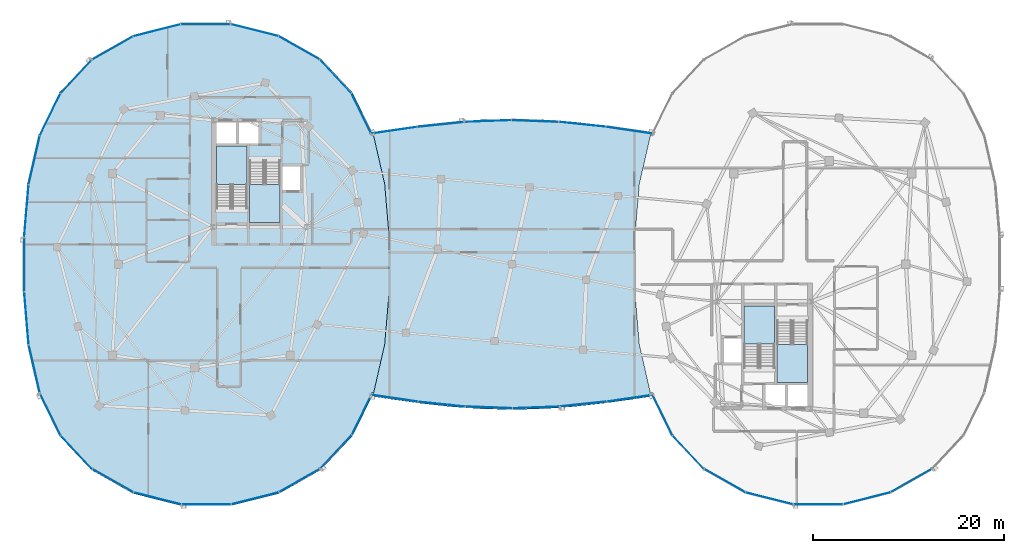
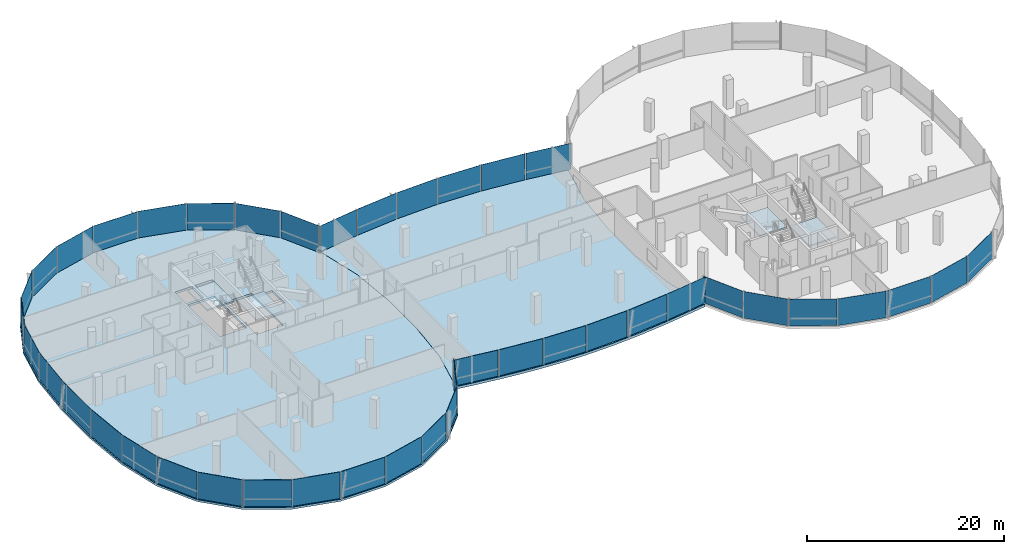
# One storey, part 12 of 25: 42 plates, 6 slabs, 11 elements without a shape of their own.
"""IFC4 building model written with IfcOpenShell, lengths in metres."""

from ifc_helpers import new_model, si_unit, direction, frame, origin, origin_2d, place, context, subcontext, project, spatial, polyline, rectangle, outline, extrude, material, layer, layer_set, type_object, element, aggregate, save


model = new_model("IFC4")

# Units and contexts
model_context = context("Model", 3, precision=1e-05, world=origin(), true_north=direction((0.0, 1.0)))
body_context = subcontext(model_context, "Body", "Model", "MODEL_VIEW")
ifc_project = project(units=[si_unit("LENGTHUNIT", "METRE"), si_unit("AREAUNIT", "SQUARE_METRE"), si_unit("VOLUMEUNIT", "CUBIC_METRE"), si_unit("PLANEANGLEUNIT", "RADIAN"), si_unit("MASSUNIT", "GRAM", prefix="KILO"), si_unit("THERMODYNAMICTEMPERATUREUNIT", "KELVIN"), si_unit("POWERUNIT", "WATT")], contexts=[model_context])

# Site, building, storey
site_placement = place(None, origin())
site = spatial("IfcSite", under=ifc_project, at=site_placement, CompositionType="ELEMENT")
building_placement = place(site_placement, origin())
building = spatial("IfcBuilding", under=site, at=building_placement, Name="Cundina Bronze Exchange", CompositionType="ELEMENT")
storey_placement = place(building_placement, frame((0.0, 0.0, 257.60009765625)))
storey = spatial("IfcBuildingStorey", under=building, at=storey_placement, Name="L68", CompositionType="ELEMENT", Elevation=257.60009765625)

# Curtain wall, plates
ifc_material_1 = material(Name="Anodised Bronze Aluminium 6063-T6", Category="aluminium")
curtain_wall_type = type_object("IfcCurtainWallType", Name="CWS-SKG-BRG", PredefinedType="NOTDEFINED", material=ifc_material_1)
curtain_wall_1_placement = place(storey_placement, origin())
curtain_wall_1 = element("IfcCurtainWall", 1, at=curtain_wall_1_placement, inside=storey, type_object=curtain_wall_type, Name="L68 CW-06 Curtain Wall Run CWR-L68-W1", PredefinedType="NOTDEFINED")
ifc_material_2 = material(Name="Heat-Strengthened Solar-Control Bronze Safety Glass 28mm", Category="glass")
ifc_layer_1 = layer(ifc_material_2, 0.028076171875, Name="Heat-Strengthened Solar-Control Bronze Safety Glass 28mm", Category="glass")
ifc_layer_set_1 = layer_set([ifc_layer_1], Name="Heat-Strengthened Solar-Control Bronze Safety Glass 28mm")
plate_type_1 = type_object("IfcPlateType", Name="PLT-GLZ-VIS28", PredefinedType="CURTAIN_PANEL", material=ifc_layer_set_1)
plate_1_placement = place(storey_placement, frame((-15.69873046875, 15.68017578125, 0.02001953125), z_axis=(0.0, 0.0, 1.0), x_axis=(-0.440503330345, 0.897750976582, 0.0)))
plate_1 = element("IfcPlate", 2, at=plate_1_placement, type_object=plate_type_1, Name="CW-06 Glazed Panel 1", PredefinedType="CURTAIN_PANEL", context=body_context, shape_type="SweptSolid", body=[
    extrude(rectangle(XDim=4.863525390625, YDim=0.028076171875, at=origin_2d()), origin(), (0.0, 0.0, 1.0), 3.300048828125),
])
plate_2_placement = place(storey_placement, frame((-22.23828125, 22.6279296875, 0.02001953125), z_axis=(0.0, 0.0, 1.0), x_axis=(-0.869572506985, 0.493805280547, 0.0)))
plate_2 = element("IfcPlate", 3, at=plate_2_placement, type_object=plate_type_1, Name="CW-06 Glazed Panel 3", PredefinedType="CURTAIN_PANEL", context=body_context, shape_type="SweptSolid", body=[
    extrude(rectangle(XDim=4.907958984375, YDim=0.028076171875, at=origin_2d()), origin(), (0.0, 0.0, 1.0), 3.300048828125),
])
plate_3_placement = place(storey_placement, frame((-26.890625, 24.4814453125, 0.02001953125), z_axis=(0.0, 0.0, 1.0), x_axis=(-0.969731542251, 0.244173577528, 0.0)))
plate_3 = element("IfcPlate", 4, at=plate_3_placement, type_object=plate_type_1, Name="CW-06 Glazed Panel 4", PredefinedType="CURTAIN_PANEL", context=body_context, shape_type="SweptSolid", body=[
    extrude(rectangle(XDim=5.0908203125, YDim=0.028076171875, at=origin_2d()), origin(), (0.0, 0.0, 1.0), 3.300048828125),
])
plate_4_placement = place(storey_placement, frame((-32.0, 25.110107421875, 0.02001953125), z_axis=(0.0, 0.0, 1.0), x_axis=(-1.0, 0.0, 0.0)))
plate_4 = element("IfcPlate", 5, at=plate_4_placement, type_object=plate_type_1, Name="CW-06 Glazed Panel 5", PredefinedType="CURTAIN_PANEL", context=body_context, shape_type="SweptSolid", body=[
    extrude(rectangle(XDim=5.16796875, YDim=0.028076171875, at=origin_2d()), origin(), (0.0, 0.0, 1.0), 3.300048828125),
])
plate_5_placement = place(storey_placement, frame((-37.109375, 24.4814453125, 0.02001953125), z_axis=(0.0, 0.0, 1.0), x_axis=(-0.969731542251, -0.244173577528, 0.0)))
plate_5 = element("IfcPlate", 6, at=plate_5_placement, type_object=plate_type_1, Name="CW-06 Glazed Panel 6", PredefinedType="CURTAIN_PANEL", context=body_context, shape_type="SweptSolid", body=[
    extrude(rectangle(XDim=5.0908203125, YDim=0.028076171875, at=origin_2d()), origin(), (0.0, 0.0, 1.0), 3.300048828125),
])

curtain_wall_2_placement = place(storey_placement, origin())
curtain_wall_2 = element("IfcCurtainWall", 7, at=curtain_wall_2_placement, inside=storey, type_object=curtain_wall_type, Name="L68 CW-06 Curtain Wall Run CWR-L68-W2", PredefinedType="NOTDEFINED")
plate_6_placement = place(storey_placement, frame((-48.30126953125, 15.68017578125, 0.02001953125), z_axis=(0.0, 0.0, 1.0), x_axis=(-0.440503330345, -0.897750976582, 0.0)))
plate_6 = element("IfcPlate", 8, at=plate_6_placement, type_object=plate_type_1, Name="CW-06 Glazed Panel 2", PredefinedType="CURTAIN_PANEL", context=body_context, shape_type="SweptSolid", body=[
    extrude(rectangle(XDim=4.863525390625, YDim=0.028076171875, at=origin_2d()), origin(), (0.0, 0.0, 1.0), 3.300048828125),
])
plate_7_placement = place(storey_placement, frame((-49.96923828125, 10.922607421875, 0.02001953125), z_axis=(0.0, 0.0, 1.0), x_axis=(-0.223284141459, -0.974753400698, 0.0)))
plate_7 = element("IfcPlate", 9, at=plate_7_placement, type_object=plate_type_1, Name="CW-06 Glazed Panel 3", PredefinedType="CURTAIN_PANEL", context=body_context, shape_type="SweptSolid", body=[
    extrude(rectangle(XDim=5.167724609375, YDim=0.028076171875, at=origin_2d()), origin(), (0.0, 0.0, 1.0), 3.300048828125),
])
plate_8_placement = place(storey_placement, frame((-50.78662109375, 5.605712890625, 0.02001953125), z_axis=(0.0, 0.0, 1.0), x_axis=(-0.083747411454, -0.996487015006, 0.0)))
plate_8 = element("IfcPlate", 10, at=plate_8_placement, type_object=plate_type_1, Name="CW-06 Glazed Panel 4", PredefinedType="CURTAIN_PANEL", context=body_context, shape_type="SweptSolid", body=[
    extrude(rectangle(XDim=5.474609375, YDim=0.028076171875, at=origin_2d()), origin(), (0.0, 0.0, 1.0), 3.300048828125),
])
plate_9_placement = place(storey_placement, frame((-51.01904296875, 0.0, 0.02001953125), z_axis=(0.0, 0.0, 1.0), x_axis=(0.0, -1.0, 0.0)))
plate_9 = element("IfcPlate", 11, at=plate_9_placement, type_object=plate_type_1, Name="CW-06 Glazed Panel 5", PredefinedType="CURTAIN_PANEL", context=body_context, shape_type="SweptSolid", body=[
    extrude(rectangle(XDim=5.597900390625, YDim=0.028076171875, at=origin_2d()), origin(), (0.0, 0.0, 1.0), 3.300048828125),
])
plate_10_placement = place(storey_placement, frame((-49.96923828125, -10.922607421875, 0.02001953125), z_axis=(0.0, 0.0, 1.0), x_axis=(0.223284141459, -0.974753400698, 0.0)))
plate_10 = element("IfcPlate", 12, at=plate_10_placement, type_object=plate_type_1, Name="CW-06 Glazed Panel 7", PredefinedType="CURTAIN_PANEL", context=body_context, shape_type="SweptSolid", body=[
    extrude(rectangle(XDim=5.167724609375, YDim=0.028076171875, at=origin_2d()), origin(), (0.0, 0.0, 1.0), 3.300048828125),
])

curtain_wall_3_placement = place(storey_placement, origin())
curtain_wall_3 = element("IfcCurtainWall", 13, at=curtain_wall_3_placement, inside=storey, type_object=curtain_wall_type, Name="L68 CW-06 Curtain Wall Run CWR-L68-W3", PredefinedType="NOTDEFINED")
plate_11_placement = place(storey_placement, frame((-48.30126953125, -15.68017578125, 0.02001953125), z_axis=(0.0, 0.0, 1.0), x_axis=(0.440503330345, -0.897750976582, 0.0)))
plate_11 = element("IfcPlate", 14, at=plate_11_placement, type_object=plate_type_1, Name="CW-06 Glazed Panel 1", PredefinedType="CURTAIN_PANEL", context=body_context, shape_type="SweptSolid", body=[
    extrude(rectangle(XDim=4.863525390625, YDim=0.028076171875, at=origin_2d()), origin(), (0.0, 0.0, 1.0), 3.300048828125),
])
plate_12_placement = place(storey_placement, frame((-45.568115234375, -19.64501953125, 0.02001953125), z_axis=(0.0, 0.0, 1.0), x_axis=(0.684343512797, -0.72915976061, 0.0)))
plate_12 = element("IfcPlate", 15, at=plate_12_placement, type_object=plate_type_1, Name="CW-06 Glazed Panel 2", PredefinedType="CURTAIN_PANEL", context=body_context, shape_type="SweptSolid", body=[
    extrude(rectangle(XDim=4.773193359375, YDim=0.028076171875, at=origin_2d()), origin(), (0.0, 0.0, 1.0), 3.300048828125),
])
plate_13_placement = place(storey_placement, frame((-41.76171875, -22.6279296875, 0.02001953125), z_axis=(0.0, 0.0, 1.0), x_axis=(0.869572506985, -0.493805280547, 0.0)))
plate_13 = element("IfcPlate", 16, at=plate_13_placement, type_object=plate_type_1, Name="CW-06 Glazed Panel 3", PredefinedType="CURTAIN_PANEL", context=body_context, shape_type="SweptSolid", body=[
    extrude(rectangle(XDim=4.907958984375, YDim=0.028076171875, at=origin_2d()), origin(), (0.0, 0.0, 1.0), 3.300048828125),
])
plate_14_placement = place(storey_placement, frame((-37.109375, -24.4814453125, 0.02001953125), z_axis=(0.0, 0.0, 1.0), x_axis=(0.969731542251, -0.244173577528, 0.0)))
plate_14 = element("IfcPlate", 17, at=plate_14_placement, type_object=plate_type_1, Name="CW-06 Glazed Panel 4", PredefinedType="CURTAIN_PANEL", context=body_context, shape_type="SweptSolid", body=[
    extrude(rectangle(XDim=5.0908203125, YDim=0.028076171875, at=origin_2d()), origin(), (0.0, 0.0, 1.0), 3.300048828125),
])
plate_15_placement = place(storey_placement, frame((-26.890625, -24.4814453125, 0.02001953125), z_axis=(0.0, 0.0, 1.0), x_axis=(0.969731542251, 0.244173577528, 0.0)))
plate_15 = element("IfcPlate", 18, at=plate_15_placement, type_object=plate_type_1, Name="CW-06 Glazed Panel 6", PredefinedType="CURTAIN_PANEL", context=body_context, shape_type="SweptSolid", body=[
    extrude(rectangle(XDim=5.0908203125, YDim=0.028076171875, at=origin_2d()), origin(), (0.0, 0.0, 1.0), 3.300048828125),
])
plate_16_placement = place(storey_placement, frame((-22.23828125, -22.6279296875, 0.02001953125), z_axis=(0.0, 0.0, 1.0), x_axis=(0.869572506985, 0.493805280547, 0.0)))
plate_16 = element("IfcPlate", 19, at=plate_16_placement, type_object=plate_type_1, Name="CW-06 Glazed Panel 7", PredefinedType="CURTAIN_PANEL", context=body_context, shape_type="SweptSolid", body=[
    extrude(rectangle(XDim=4.907958984375, YDim=0.028076171875, at=origin_2d()), origin(), (0.0, 0.0, 1.0), 3.300048828125),
])

curtain_wall_4_placement = place(storey_placement, origin())
curtain_wall_4 = element("IfcCurtainWall", 20, at=curtain_wall_4_placement, inside=storey, type_object=curtain_wall_type, Name="L68 CW-06 Curtain Wall Run CWR-L68-W4", PredefinedType="NOTDEFINED")
plate_17_placement = place(storey_placement, frame((-18.431884765625, -19.64501953125, 0.02001953125), z_axis=(0.0, 0.0, 1.0), x_axis=(0.684343512797, 0.72915976061, 0.0)))
plate_17 = element("IfcPlate", 21, at=plate_17_placement, type_object=plate_type_1, Name="CW-06 Glazed Panel 1", PredefinedType="CURTAIN_PANEL", context=body_context, shape_type="SweptSolid", body=[
    extrude(rectangle(XDim=4.773193359375, YDim=0.028076171875, at=origin_2d()), origin(), (0.0, 0.0, 1.0), 3.300048828125),
])
plate_18_placement = place(storey_placement, frame((-15.69873046875, -15.68017578125, 0.02001953125), z_axis=(0.0, 0.0, 1.0), x_axis=(0.440503330345, 0.897750976582, 0.0)))
plate_18 = element("IfcPlate", 22, at=plate_18_placement, type_object=plate_type_1, Name="CW-06 Glazed Panel 2", PredefinedType="CURTAIN_PANEL", context=body_context, shape_type="SweptSolid", body=[
    extrude(rectangle(XDim=4.863525390625, YDim=0.028076171875, at=origin_2d()), origin(), (0.0, 0.0, 1.0), 3.300048828125),
])
aggregate(curtain_wall_4, [plate_17, plate_18])

curtain_wall_5_placement = place(storey_placement, origin())
curtain_wall_5 = element("IfcCurtainWall", 23, at=curtain_wall_5_placement, inside=storey, type_object=curtain_wall_type, Name="L68 CW-06 Curtain Wall Run CWR-L68-E3", PredefinedType="NOTDEFINED")
plate_19_placement = place(storey_placement, frame((15.69873046875, -15.68017578125, 0.02001953125), z_axis=(0.0, 0.0, 1.0), x_axis=(0.440503330345, -0.897750976582, 0.0)))
plate_19 = element("IfcPlate", 24, at=plate_19_placement, type_object=plate_type_1, Name="CW-06 Glazed Panel 1", PredefinedType="CURTAIN_PANEL", context=body_context, shape_type="SweptSolid", body=[
    extrude(rectangle(XDim=4.863525390625, YDim=0.028076171875, at=origin_2d()), origin(), (0.0, 0.0, 1.0), 3.300048828125),
])
plate_20_placement = place(storey_placement, frame((18.431884765625, -19.64501953125, 0.02001953125), z_axis=(0.0, 0.0, 1.0), x_axis=(0.684343512797, -0.72915976061, 0.0)))
plate_20 = element("IfcPlate", 25, at=plate_20_placement, type_object=plate_type_1, Name="CW-06 Glazed Panel 2", PredefinedType="CURTAIN_PANEL", context=body_context, shape_type="SweptSolid", body=[
    extrude(rectangle(XDim=4.773193359375, YDim=0.028076171875, at=origin_2d()), origin(), (0.0, 0.0, 1.0), 3.300048828125),
])
plate_21_placement = place(storey_placement, frame((22.23828125, -22.6279296875, 0.02001953125), z_axis=(0.0, 0.0, 1.0), x_axis=(0.869572506985, -0.493805280547, 0.0)))
plate_21 = element("IfcPlate", 26, at=plate_21_placement, type_object=plate_type_1, Name="CW-06 Glazed Panel 3", PredefinedType="CURTAIN_PANEL", context=body_context, shape_type="SweptSolid", body=[
    extrude(rectangle(XDim=4.907958984375, YDim=0.028076171875, at=origin_2d()), origin(), (0.0, 0.0, 1.0), 3.300048828125),
])
plate_22_placement = place(storey_placement, frame((26.890625, -24.4814453125, 0.02001953125), z_axis=(0.0, 0.0, 1.0), x_axis=(0.969731542251, -0.244173577528, 0.0)))
plate_22 = element("IfcPlate", 27, at=plate_22_placement, type_object=plate_type_1, Name="CW-06 Glazed Panel 4", PredefinedType="CURTAIN_PANEL", context=body_context, shape_type="SweptSolid", body=[
    extrude(rectangle(XDim=5.0908203125, YDim=0.028076171875, at=origin_2d()), origin(), (0.0, 0.0, 1.0), 3.300048828125),
])
plate_23_placement = place(storey_placement, frame((37.109375, -24.4814453125, 0.02001953125), z_axis=(0.0, 0.0, 1.0), x_axis=(0.969731542251, 0.244173577528, 0.0)))
plate_23 = element("IfcPlate", 28, at=plate_23_placement, type_object=plate_type_1, Name="CW-06 Glazed Panel 6", PredefinedType="CURTAIN_PANEL", context=body_context, shape_type="SweptSolid", body=[
    extrude(rectangle(XDim=5.0908203125, YDim=0.028076171875, at=origin_2d()), origin(), (0.0, 0.0, 1.0), 3.300048828125),
])
plate_24_placement = place(storey_placement, frame((41.76171875, -22.6279296875, 0.02001953125), z_axis=(0.0, 0.0, 1.0), x_axis=(0.869572506985, 0.493805280547, 0.0)))
plate_24 = element("IfcPlate", 29, at=plate_24_placement, type_object=plate_type_1, Name="CW-06 Glazed Panel 7", PredefinedType="CURTAIN_PANEL", context=body_context, shape_type="SweptSolid", body=[
    extrude(rectangle(XDim=4.907958984375, YDim=0.028076171875, at=origin_2d()), origin(), (0.0, 0.0, 1.0), 3.300048828125),
])

curtain_wall_6_placement = place(storey_placement, origin())
curtain_wall_6 = element("IfcCurtainWall", 30, at=curtain_wall_6_placement, inside=storey, type_object=curtain_wall_type, Name="L68 CW-06 Curtain Wall Run CWR-L68-BRGS", PredefinedType="NOTDEFINED")
plate_25_placement = place(storey_placement, frame((-12.356201171875, -14.012451171875, 0.02001953125), z_axis=(0.0, 0.0, 1.0), x_axis=(0.989528308409, -0.144338930496, 0.0)))
plate_25 = element("IfcPlate", 31, at=plate_25_placement, type_object=plate_type_1, Name="CW-06 Glazed Panel 1", PredefinedType="CURTAIN_PANEL", context=body_context, shape_type="SweptSolid", body=[
    extrude(rectangle(XDim=4.912353515625, YDim=0.028076171875, at=origin_2d()), origin(), (0.0, 0.0, 1.0), 3.239990234375),
])
plate_26_placement = place(storey_placement, frame((-7.41162109375, -14.629150390625, 0.02001953125), z_axis=(0.0, 0.0, 1.0), x_axis=(0.994672274174, -0.103087666525, 0.0)))
plate_26 = element("IfcPlate", 32, at=plate_26_placement, type_object=plate_type_1, Name="CW-06 Glazed Panel 2", PredefinedType="CURTAIN_PANEL", context=body_context, shape_type="SweptSolid", body=[
    extrude(rectangle(XDim=4.886474609375, YDim=0.028076171875, at=origin_2d()), origin(), (0.0, 0.0, 1.0), 3.239990234375),
])
plate_27_placement = place(storey_placement, frame((2.47021484375, -14.9775390625, 0.02001953125), z_axis=(0.0, 0.0, 1.0), x_axis=(0.999302568116, 0.037341362551, 0.0)))
plate_27 = element("IfcPlate", 33, at=plate_27_placement, type_object=plate_type_1, Name="CW-06 Glazed Panel 4", PredefinedType="CURTAIN_PANEL", context=body_context, shape_type="SweptSolid", body=[
    extrude(rectangle(XDim=4.863525390625, YDim=0.028076171875, at=origin_2d()), origin(), (0.0, 0.0, 1.0), 3.239990234375),
])
plate_28_placement = place(storey_placement, frame((7.41162109375, -14.629150390625, 0.02001953125), z_axis=(0.0, 0.0, 1.0), x_axis=(0.994672274174, 0.103087666525, 0.0)))
plate_28 = element("IfcPlate", 34, at=plate_28_placement, type_object=plate_type_1, Name="CW-06 Glazed Panel 5", PredefinedType="CURTAIN_PANEL", context=body_context, shape_type="SweptSolid", body=[
    extrude(rectangle(XDim=4.886474609375, YDim=0.028076171875, at=origin_2d()), origin(), (0.0, 0.0, 1.0), 3.239990234375),
])
plate_29_placement = place(storey_placement, frame((12.356201171875, -14.012451171875, 0.02001953125), z_axis=(0.0, 0.0, 1.0), x_axis=(0.989528308409, 0.144338930496, 0.0)))
plate_29 = element("IfcPlate", 35, at=plate_29_placement, type_object=plate_type_1, Name="CW-06 Glazed Panel 6", PredefinedType="CURTAIN_PANEL", context=body_context, shape_type="SweptSolid", body=[
    extrude(rectangle(XDim=4.912353515625, YDim=0.028076171875, at=origin_2d()), origin(), (0.0, 0.0, 1.0), 3.239990234375),
])

curtain_wall_7_placement = place(storey_placement, origin())
curtain_wall_7 = element("IfcCurtainWall", 36, at=curtain_wall_7_placement, inside=storey, type_object=curtain_wall_type, Name="L68 CW-06 Curtain Wall Run CWR-L68-BRGN", PredefinedType="NOTDEFINED")
plate_30_placement = place(storey_placement, frame((12.356201171875, 14.012451171875, 0.02001953125), z_axis=(0.0, 0.0, 1.0), x_axis=(-0.989528308409, 0.144338930496, 0.0)))
plate_30 = element("IfcPlate", 37, at=plate_30_placement, type_object=plate_type_1, Name="CW-06 Glazed Panel 1", PredefinedType="CURTAIN_PANEL", context=body_context, shape_type="SweptSolid", body=[
    extrude(rectangle(XDim=4.912353515625, YDim=0.028076171875, at=origin_2d()), origin(), (0.0, 0.0, 1.0), 3.239990234375),
])
plate_31_placement = place(storey_placement, frame((7.41162109375, 14.629150390625, 0.02001953125), z_axis=(0.0, 0.0, 1.0), x_axis=(-0.994672274174, 0.103087666525, 0.0)))
plate_31 = element("IfcPlate", 38, at=plate_31_placement, type_object=plate_type_1, Name="CW-06 Glazed Panel 2", PredefinedType="CURTAIN_PANEL", context=body_context, shape_type="SweptSolid", body=[
    extrude(rectangle(XDim=4.886474609375, YDim=0.028076171875, at=origin_2d()), origin(), (0.0, 0.0, 1.0), 3.239990234375),
])
plate_32_placement = place(storey_placement, frame((2.47021484375, 14.9775390625, 0.02001953125), z_axis=(0.0, 0.0, 1.0), x_axis=(-0.999302568116, 0.037341362551, 0.0)))
plate_32 = element("IfcPlate", 39, at=plate_32_placement, type_object=plate_type_1, Name="CW-06 Glazed Panel 3", PredefinedType="CURTAIN_PANEL", context=body_context, shape_type="SweptSolid", body=[
    extrude(rectangle(XDim=4.863525390625, YDim=0.028076171875, at=origin_2d()), origin(), (0.0, 0.0, 1.0), 3.239990234375),
])
plate_33_placement = place(storey_placement, frame((-2.47021484375, 14.9775390625, 0.02001953125), z_axis=(0.0, 0.0, 1.0), x_axis=(-0.999302568116, -0.037341362551, 0.0)))
plate_33 = element("IfcPlate", 40, at=plate_33_placement, type_object=plate_type_1, Name="CW-06 Glazed Panel 4", PredefinedType="CURTAIN_PANEL", context=body_context, shape_type="SweptSolid", body=[
    extrude(rectangle(XDim=4.863525390625, YDim=0.028076171875, at=origin_2d()), origin(), (0.0, 0.0, 1.0), 3.239990234375),
])
plate_34_placement = place(storey_placement, frame((-12.356201171875, 14.012451171875, 0.02001953125), z_axis=(0.0, 0.0, 1.0), x_axis=(-0.989528308409, -0.144338930496, 0.0)))
plate_34 = element("IfcPlate", 41, at=plate_34_placement, type_object=plate_type_1, Name="CW-06 Glazed Panel 6", PredefinedType="CURTAIN_PANEL", context=body_context, shape_type="SweptSolid", body=[
    extrude(rectangle(XDim=4.912353515625, YDim=0.028076171875, at=origin_2d()), origin(), (0.0, 0.0, 1.0), 3.239990234375),
])

# Plate
ifc_material_3 = material(Name="Dark Bronze Spandrel Glass Panel 32mm", Category="glass")
ifc_layer_2 = layer(ifc_material_3, 0.031982421875, Name="Dark Bronze Spandrel Glass Panel 32mm", Category="glass")
ifc_layer_set_2 = layer_set([ifc_layer_2], Name="Dark Bronze Spandrel Glass Panel 32mm")
plate_type_2 = type_object("IfcPlateType", Name="PLT-SPN-BRZ32", PredefinedType="CURTAIN_PANEL", material=ifc_layer_set_2)
plate_35_placement = place(storey_placement, frame((-18.431884765625, 19.64501953125, 0.02001953125), z_axis=(0.0, 0.0, 1.0), x_axis=(-0.684343512797, 0.72915976061, 0.0)))
plate_35 = element("IfcPlate", 42, at=plate_35_placement, type_object=plate_type_2, Name="CW-06 Glazed Panel 2", PredefinedType="CURTAIN_PANEL", context=body_context, shape_type="SweptSolid", body=[
    extrude(rectangle(XDim=4.773193359375, YDim=0.031982421875, at=origin_2d()), origin(), (0.0, 0.0, 1.0), 3.300048828125),
])

plate_36_placement = place(storey_placement, frame((-41.76171875, 22.6279296875, 0.02001953125), z_axis=(0.0, 0.0, 1.0), x_axis=(-0.869572506985, -0.493805280547, 0.0)))
plate_36 = element("IfcPlate", 43, at=plate_36_placement, type_object=plate_type_2, Name="CW-06 Glazed Panel 7", PredefinedType="CURTAIN_PANEL", context=body_context, shape_type="SweptSolid", body=[
    extrude(rectangle(XDim=4.907958984375, YDim=0.031982421875, at=origin_2d()), origin(), (0.0, 0.0, 1.0), 3.300048828125),
])

aggregate(curtain_wall_1, [plate_1, plate_35, plate_2, plate_3, plate_4, plate_5, plate_36])

plate_37_placement = place(storey_placement, frame((-45.568115234375, 19.64501953125, 0.02001953125), z_axis=(0.0, 0.0, 1.0), x_axis=(-0.684343512797, -0.72915976061, 0.0)))
plate_37 = element("IfcPlate", 44, at=plate_37_placement, type_object=plate_type_2, Name="CW-06 Glazed Panel 1", PredefinedType="CURTAIN_PANEL", context=body_context, shape_type="SweptSolid", body=[
    extrude(rectangle(XDim=4.773193359375, YDim=0.031982421875, at=origin_2d()), origin(), (0.0, 0.0, 1.0), 3.300048828125),
])

plate_38_placement = place(storey_placement, frame((-50.78662109375, -5.605712890625, 0.02001953125), z_axis=(0.0, 0.0, 1.0), x_axis=(0.083747411454, -0.996487015006, 0.0)))
plate_38 = element("IfcPlate", 45, at=plate_38_placement, type_object=plate_type_2, Name="CW-06 Glazed Panel 6", PredefinedType="CURTAIN_PANEL", context=body_context, shape_type="SweptSolid", body=[
    extrude(rectangle(XDim=5.474609375, YDim=0.031982421875, at=origin_2d()), origin(), (0.0, 0.0, 1.0), 3.300048828125),
])

aggregate(curtain_wall_2, [plate_37, plate_6, plate_7, plate_8, plate_9, plate_38, plate_10])

plate_39_placement = place(storey_placement, frame((-32.0, -25.110107421875, 0.02001953125), z_axis=(0.0, 0.0, 1.0), x_axis=(1.0, 0.0, 0.0)))
plate_39 = element("IfcPlate", 46, at=plate_39_placement, type_object=plate_type_2, Name="CW-06 Glazed Panel 5", PredefinedType="CURTAIN_PANEL", context=body_context, shape_type="SweptSolid", body=[
    extrude(rectangle(XDim=5.16796875, YDim=0.031982421875, at=origin_2d()), origin(), (0.0, 0.0, 1.0), 3.300048828125),
])

aggregate(curtain_wall_3, [plate_11, plate_12, plate_13, plate_14, plate_39, plate_15, plate_16])

plate_40_placement = place(storey_placement, frame((32.0, -25.110107421875, 0.02001953125), z_axis=(0.0, 0.0, 1.0), x_axis=(1.0, 0.0, 0.0)))
plate_40 = element("IfcPlate", 47, at=plate_40_placement, type_object=plate_type_2, Name="CW-06 Glazed Panel 5", PredefinedType="CURTAIN_PANEL", context=body_context, shape_type="SweptSolid", body=[
    extrude(rectangle(XDim=5.16796875, YDim=0.031982421875, at=origin_2d()), origin(), (0.0, 0.0, 1.0), 3.300048828125),
])

aggregate(curtain_wall_5, [plate_19, plate_20, plate_21, plate_22, plate_40, plate_23, plate_24])

plate_41_placement = place(storey_placement, frame((-2.47021484375, -14.9775390625, 0.02001953125), z_axis=(0.0, 0.0, 1.0), x_axis=(0.999302568116, -0.037341362551, 0.0)))
plate_41 = element("IfcPlate", 48, at=plate_41_placement, type_object=plate_type_2, Name="CW-06 Glazed Panel 3", PredefinedType="CURTAIN_PANEL", context=body_context, shape_type="SweptSolid", body=[
    extrude(rectangle(XDim=4.863525390625, YDim=0.031982421875, at=origin_2d()), origin(), (0.0, 0.0, 1.0), 3.239990234375),
])

aggregate(curtain_wall_6, [plate_25, plate_26, plate_41, plate_27, plate_28, plate_29])

plate_42_placement = place(storey_placement, frame((-7.41162109375, 14.629150390625, 0.02001953125), z_axis=(0.0, 0.0, 1.0), x_axis=(-0.994672274174, -0.103087666525, 0.0)))
plate_42 = element("IfcPlate", 49, at=plate_42_placement, type_object=plate_type_2, Name="CW-06 Glazed Panel 5", PredefinedType="CURTAIN_PANEL", context=body_context, shape_type="SweptSolid", body=[
    extrude(rectangle(XDim=4.886474609375, YDim=0.031982421875, at=origin_2d()), origin(), (0.0, 0.0, 1.0), 3.239990234375),
])

aggregate(curtain_wall_7, [plate_30, plate_31, plate_32, plate_33, plate_42, plate_34])

# Slab
ifc_material_4 = material(Name="Concrete C50/60", Category="concrete")
ifc_layer_3 = layer(ifc_material_4, 0.320068359375, Name="Concrete C50/60", Category="concrete")
ifc_layer_set_3 = layer_set([ifc_layer_3], Name="Concrete C50/60")
slab_type_1 = type_object("IfcSlabType", Name="SLB-BRG-320", PredefinedType="FLOOR", material=ifc_layer_set_3)
slab_1_placement = place(storey_placement, frame((0.0, 0.0, -0.320068359375)))
element("IfcSlab", 50, at=slab_1_placement, inside=storey, type_object=slab_type_1, Name="L68 Sky-Gate Bridge Deck Slab", PredefinedType="FLOOR", context=body_context, shape_type="SweptSolid", body=[
    extrude(outline(polyline([(12.800048828125, -14.093994140625), (9.60009765625, -14.5400390625), (6.39990234375, -14.89404296875), (3.199951171875, -15.1220703125), (0.0, -15.199951171875), (-3.199951171875, -15.1220703125), (-6.39990234375, -14.89404296875), (-9.60009765625, -14.5400390625), (-12.800048828125, -14.093994140625), (-14.634033203125, -13.81103515625), (-14.489013671875, -13.514892578125), (-14.489013671875, -13.514892578125), (-14.489013671875, -13.513916015625), (-13.31494140625, -8.388916015625), (-13.31494140625, -8.388916015625), (-12.84912109375, -2.843994140625), (-12.84912109375, -2.843994140625), (-12.84912109375, 2.843994140625), (-12.84912109375, 2.843994140625), (-13.31494140625, 8.388916015625), (-13.31494140625, 8.388916015625), (-14.489013671875, 13.513916015625), (-14.489013671875, 13.514892578125), (-14.489013671875, 13.514892578125), (-14.634033203125, 13.81103515625), (-12.800048828125, 14.093994140625), (-9.60009765625, 14.5400390625), (-6.39990234375, 14.89404296875), (-3.199951171875, 15.1220703125), (0.0, 15.199951171875), (3.199951171875, 15.1220703125), (6.39990234375, 14.89404296875), (9.60009765625, 14.5400390625), (12.800048828125, 14.093994140625), (14.634033203125, 13.81103515625), (14.489013671875, 13.514892578125), (14.489013671875, 13.514892578125), (14.489013671875, 13.513916015625), (13.31494140625, 8.388916015625), (13.31494140625, 8.388916015625), (12.84912109375, 2.843994140625), (12.84912109375, 2.843994140625), (12.84912109375, -2.843994140625), (12.84912109375, -2.843994140625), (13.31494140625, -8.388916015625), (13.31494140625, -8.388916015625), (14.489013671875, -13.513916015625), (14.489013671875, -13.514892578125), (14.489013671875, -13.514892578125), (14.634033203125, -13.81103515625), (12.800048828125, -14.093994140625)])), origin(), (0.0, 0.0, 1.0), 0.320068359375),
])

# Stair, slab
ifc_material_5 = material(Name="Concrete C40/50", Category="concrete")
stair_type = type_object("IfcStairType", Name="STR-OFF-360", PredefinedType="HALF_TURN_STAIR", material=ifc_material_5)
stair_1_placement = place(storey_placement, origin())
stair_1 = element("IfcStair", 51, at=stair_1_placement, inside=storey, type_object=stair_type, Name="L68 Smokeproof Exit Stair W1", PredefinedType="HALF_TURN_STAIR")
ifc_layer_4 = layer(ifc_material_5, 0.199951171875, Name="Concrete C40/50", Category="concrete")
ifc_layer_set_4 = layer_set([ifc_layer_4], Name="Concrete C40/50")
slab_type_2 = type_object("IfcSlabType", Name="SLB-LND-200", PredefinedType="LANDING", material=ifc_layer_set_4)
slab_2_placement = place(storey_placement, frame((0.0, 0.0, 1.599853515625)))
slab_2 = element("IfcSlab", 52, at=slab_2_placement, type_object=slab_type_2, Name="ST-W1 landing 1", PredefinedType="LANDING", context=body_context, shape_type="SweptSolid", body=[
    extrude(outline(polyline([(-27.739990234375, 8.3701171875), (-27.739990234375, 12.35009765625), (-30.89990234375, 12.35009765625), (-30.89990234375, 8.3701171875), (-27.739990234375, 8.3701171875)])), origin(), (0.0, 0.0, 1.0), 0.199951171875),
])
aggregate(stair_1, [slab_2])

stair_2_placement = place(storey_placement, origin())
stair_2 = element("IfcStair", 53, at=stair_2_placement, inside=storey, type_object=stair_type, Name="L68 Smokeproof Exit Stair W2", PredefinedType="HALF_TURN_STAIR")
slab_3_placement = place(storey_placement, frame((0.0, 0.0, 1.599853515625)))
slab_3 = element("IfcSlab", 54, at=slab_3_placement, type_object=slab_type_2, Name="ST-W2 landing 1", PredefinedType="LANDING", context=body_context, shape_type="SweptSolid", body=[
    extrude(outline(polyline([(-27.43994140625, 8.330078125), (-27.43994140625, 4.35009765625), (-24.280029296875, 4.35009765625), (-24.280029296875, 8.330078125), (-27.43994140625, 8.330078125)])), origin(), (0.0, 0.0, 1.0), 0.199951171875),
])
aggregate(stair_2, [slab_3])

stair_3_placement = place(storey_placement, origin())
stair_3 = element("IfcStair", 55, at=stair_3_placement, inside=storey, type_object=stair_type, Name="L68 Smokeproof Exit Stair E1", PredefinedType="HALF_TURN_STAIR")
slab_4_placement = place(storey_placement, frame((0.0, 0.0, 1.599853515625)))
slab_4 = element("IfcSlab", 56, at=slab_4_placement, type_object=slab_type_2, Name="ST-E1 landing 1", PredefinedType="LANDING", context=body_context, shape_type="SweptSolid", body=[
    extrude(outline(polyline([(27.739990234375, -8.3701171875), (27.739990234375, -12.35009765625), (30.89990234375, -12.35009765625), (30.89990234375, -8.3701171875), (27.739990234375, -8.3701171875)])), origin(), (0.0, 0.0, 1.0), 0.199951171875),
])
aggregate(stair_3, [slab_4])

stair_4_placement = place(storey_placement, origin())
stair_4 = element("IfcStair", 57, at=stair_4_placement, inside=storey, type_object=stair_type, Name="L68 Smokeproof Exit Stair E2", PredefinedType="HALF_TURN_STAIR")
slab_5_placement = place(storey_placement, frame((0.0, 0.0, 1.599853515625)))
slab_5 = element("IfcSlab", 58, at=slab_5_placement, type_object=slab_type_2, Name="ST-E2 landing 1", PredefinedType="LANDING", context=body_context, shape_type="SweptSolid", body=[
    extrude(outline(polyline([(27.43994140625, -8.330078125), (27.43994140625, -4.35009765625), (24.280029296875, -4.35009765625), (24.280029296875, -8.330078125), (27.43994140625, -8.330078125)])), origin(), (0.0, 0.0, 1.0), 0.199951171875),
])
aggregate(stair_4, [slab_5])

# Slab
ifc_layer_5 = layer(ifc_material_4, 0.260009765625, Name="Concrete C50/60", Category="concrete")
ifc_layer_set_5 = layer_set([ifc_layer_5], Name="Concrete C50/60")
slab_type_3 = type_object("IfcSlabType", Name="SLB-OFF-260", PredefinedType="FLOOR", material=ifc_layer_set_5)
slab_6_placement = place(storey_placement, frame((0.0, 0.0, -0.260009765625)))
element("IfcSlab", 59, at=slab_6_placement, inside=storey, type_object=slab_type_3, Name="L68 Leg W Structural Floor Slab", PredefinedType="FLOOR", context=body_context, shape_type="SweptSolid", body=[
    extrude(outline(polyline([(-12.85107421875, 2.843994140625), (-13.31689453125, 8.388916015625), (-14.490966796875, 13.513916015625), (-16.673095703125, 17.9609375), (-20.0009765625, 21.507080078125), (-24.346923828125, 23.97509765625), (-29.37109375, 25.239990234375), (-34.62890625, 25.239990234375), (-39.653076171875, 23.97509765625), (-43.9990234375, 21.507080078125), (-47.326904296875, 17.9609375), (-49.509033203125, 13.513916015625), (-50.68310546875, 8.388916015625), (-51.14892578125, 2.843994140625), (-51.14892578125, -2.843994140625), (-50.68310546875, -8.388916015625), (-49.509033203125, -13.513916015625), (-47.326904296875, -17.9609375), (-43.9990234375, -21.507080078125), (-39.653076171875, -23.97509765625), (-34.62890625, -25.239990234375), (-29.37109375, -25.239990234375), (-24.346923828125, -23.97509765625), (-20.0009765625, -21.507080078125), (-16.673095703125, -17.9609375), (-14.490966796875, -13.513916015625), (-13.31689453125, -8.388916015625), (-12.85107421875, -2.843994140625), (-12.85107421875, 2.843994140625)]), holes=[polyline([(-27.739990234375, 5.85009765625), (-27.739990234375, 12.35009765625), (-30.89990234375, 12.35009765625), (-30.89990234375, 5.85009765625), (-27.739990234375, 5.85009765625)]), polyline([(-27.43994140625, 10.85009765625), (-27.43994140625, 4.35009765625), (-24.280029296875, 4.35009765625), (-24.280029296875, 10.85009765625), (-27.43994140625, 10.85009765625)]), polyline([(-23.97998046875, 10.25), (-22.179931640625, 10.25), (-22.179931640625, 7.75), (-23.97998046875, 7.75), (-23.97998046875, 10.25)]), polyline([(-30.89990234375, 14.949951171875), (-28.85009765625, 14.949951171875), (-28.85009765625, 12.64990234375), (-30.89990234375, 12.64990234375), (-30.89990234375, 14.949951171875)]), polyline([(-28.550048828125, 14.949951171875), (-26.5, 14.949951171875), (-26.5, 12.64990234375), (-28.550048828125, 12.64990234375), (-28.550048828125, 14.949951171875)])]), origin(), (0.0, 0.0, 1.0), 0.260009765625),
])

save(model, "model.ifc")
